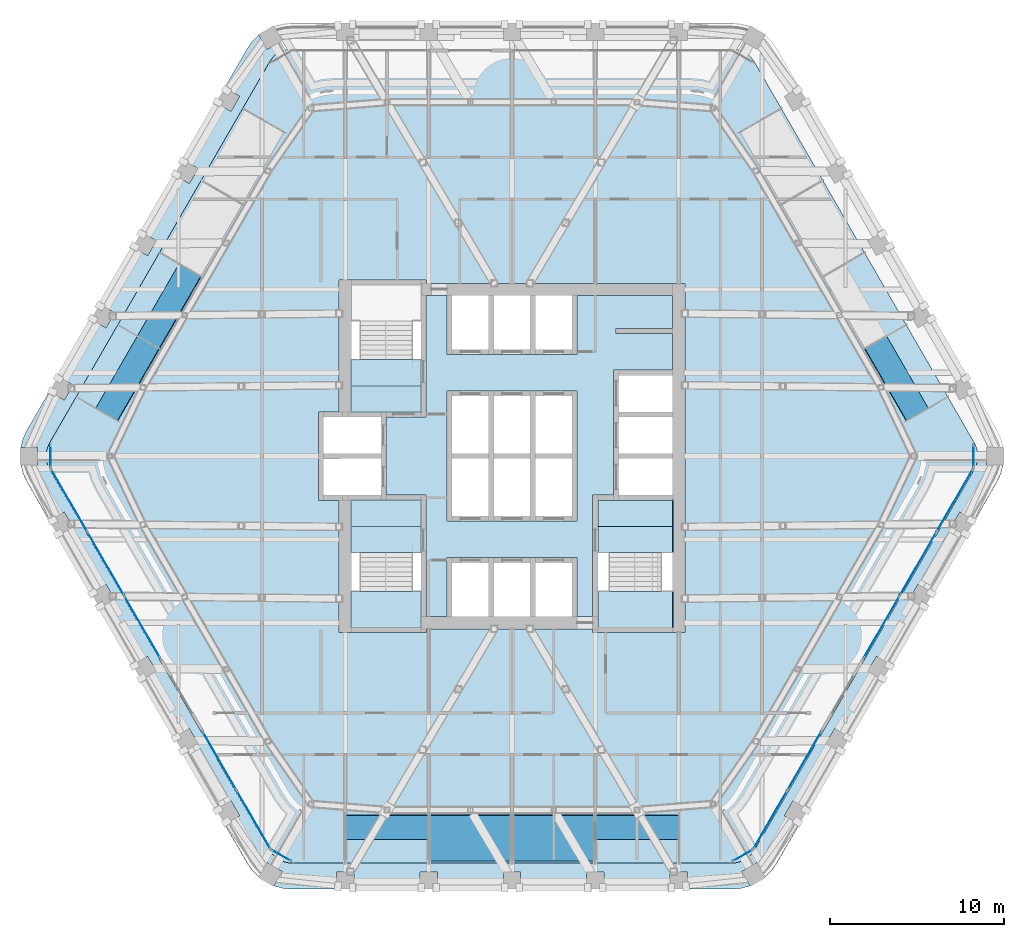
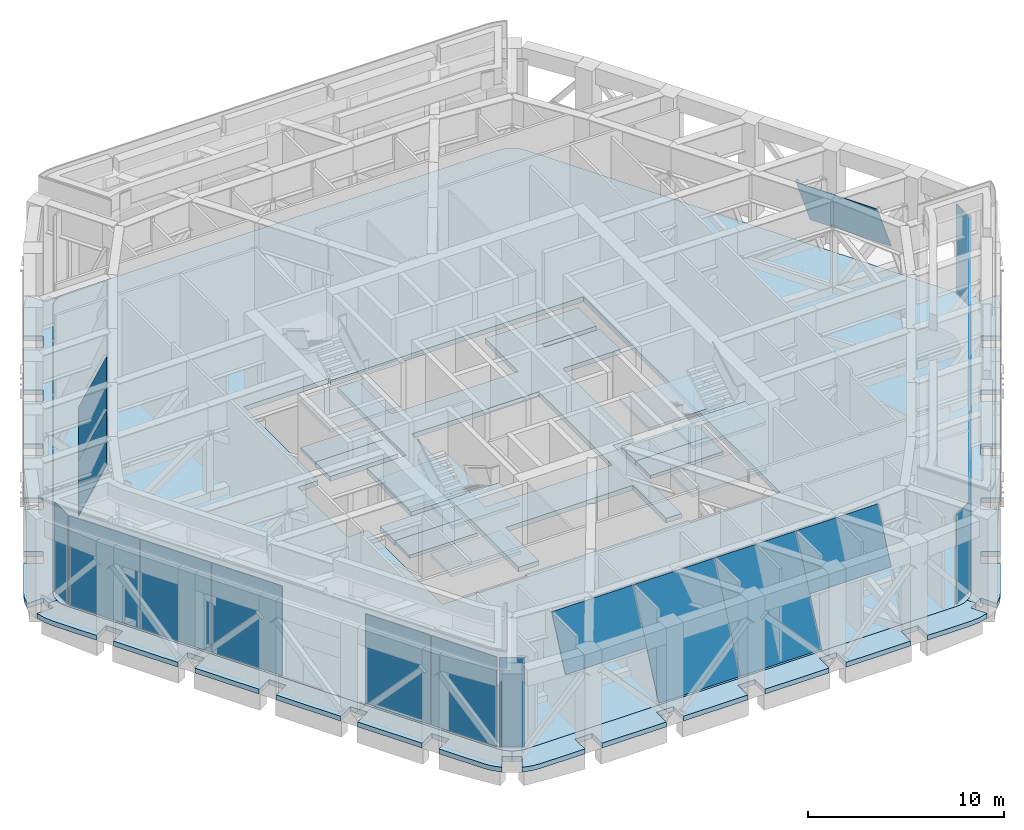
# One storey, part 12 of 24: 21 plates, 19 slabs, 14 elements without a shape of their own.
"""IFC4 building model written with IfcOpenShell, lengths in metres."""

import ifcopenshell
import ifcopenshell.guid

model = None  # the IFC model being written
_history = None  # IfcOwnerHistory: only IFC2X3 demands one
_inside = {}  # id of a spatial element -> (the spatial element, [elements in it])
_under = {}  # id of a project, library or spatial element -> (it, [spatial elements below it])
_declared = {}  # id of a project -> (the project, [libraries it declares])
_typed = {}  # id of a type object -> (the type object, [elements of that type])
_made_of = {}  # id of a material, layer set ... -> (it, [elements and type objects made of it])


def new_model(schema):
    """Start an empty IFC model of exactly this schema.

    Asked for "IFC4X3", IfcOpenShell would pick the latest addendum, in which some entities
    have other attributes; the version numbers below select the first issue.
    IFC2X3 requires an IfcOwnerHistory on every rooted entity: one is made here for all.
    """
    global model, _history
    if schema == "IFC4X3":
        model = ifcopenshell.file(schema_version=(4, 3, 0, 0))
    else:
        model = ifcopenshell.file(schema=schema)
    _inside.clear()
    _under.clear()
    _declared.clear()
    _typed.clear()
    _made_of.clear()
    _history = None
    if model.schema == "IFC2X3":
        org = make("IfcOrganization", Name="unknown")
        user = make(
            "IfcPersonAndOrganization",
            ThePerson=make("IfcPerson", FamilyName="unknown"),
            TheOrganization=org,
        )
        app = make(
            "IfcApplication",
            ApplicationDeveloper=org,
            Version="unknown",
            ApplicationFullName="unknown",
            ApplicationIdentifier="unknown",
        )
        _history = make(
            "IfcOwnerHistory",
            OwningUser=user,
            OwningApplication=app,
            ChangeAction="ADDED",
            CreationDate=0,
        )
    return model


def make(cls, **values):
    """One entity of the class cls with the attributes given. An attribute that is None is left unset."""
    return model.create_entity(
        cls, **{name: value for name, value in values.items() if value is not None}
    )


def rooted(cls, **values):
    """An entity with a GlobalId (a new one), such as an element, a storey or a relation."""
    return make(cls, GlobalId=ifcopenshell.guid.new(), OwnerHistory=_history, **values)


def si_unit(unit_type, name, prefix=None):
    """IfcSIUnit, for example si_unit("LENGTHUNIT", "METRE", prefix="MILLI")."""
    return make("IfcSIUnit", UnitType=unit_type, Prefix=prefix, Name=name)


def assignment(units):
    """IfcUnitAssignment: the units of a project."""
    return None if units is None else make("IfcUnitAssignment", Units=units)


def point(xyz):
    """IfcCartesianPoint."""
    return None if xyz is None else make("IfcCartesianPoint", Coordinates=xyz)


def direction(xyz):
    """IfcDirection."""
    return None if xyz is None else make("IfcDirection", DirectionRatios=xyz)


def frame(location, z_axis=None, x_axis=None):
    """IfcAxis2Placement3D, a coordinate frame: its origin and axes. An axis left out is left unset."""
    return make(
        "IfcAxis2Placement3D",
        Location=point(location),
        Axis=direction(z_axis),
        RefDirection=direction(x_axis),
    )


def frame_2d(location, x_axis=None):
    """IfcAxis2Placement2D, a coordinate frame in the plane: its origin and x axis."""
    return make(
        "IfcAxis2Placement2D", Location=point(location), RefDirection=direction(x_axis)
    )


def origin():
    """The frame at (0, 0, 0) with its axes left unset."""
    return frame((0.0, 0.0, 0.0))


def origin_2d():
    """The frame at (0, 0) in the plane with its x axis left unset."""
    return frame_2d((0.0, 0.0))


def place(relative_to, where):
    """IfcLocalPlacement: puts the frame where relative to a parent placement (None: the world)."""
    return make(
        "IfcLocalPlacement", PlacementRelTo=relative_to, RelativePlacement=where
    )


def context(
    kind, dimensions, precision=None, world=None, true_north=None, identifier=None
):
    """IfcGeometricRepresentationContext, for example the 3D "Model" context."""
    return make(
        "IfcGeometricRepresentationContext",
        ContextIdentifier=identifier,
        ContextType=kind,
        CoordinateSpaceDimension=dimensions,
        Precision=precision,
        WorldCoordinateSystem=world,
        TrueNorth=true_north,
    )


def subcontext(parent, identifier, kind, view, scale=None):
    """IfcGeometricRepresentationSubContext, for example "Body" below "Model"."""
    return make(
        "IfcGeometricRepresentationSubContext",
        ContextIdentifier=identifier,
        ContextType=kind,
        ParentContext=parent,
        TargetScale=scale,
        TargetView=view,
    )


def project(units=None, contexts=None):
    """IfcProject with its units and contexts."""
    return rooted(
        "IfcProject",
        Name="project",
        RepresentationContexts=contexts,
        UnitsInContext=assignment(units),
    )


def spatial(cls, under=None, at=None, **own):
    """A site, building, storey or space (cls), placed at a placement, below another one or the project."""
    s = rooted(cls, ObjectPlacement=at, **own)
    if under is not None:
        _under.setdefault(under.id(), (under, []))[1].append(s)
    return s


def polyline(points):
    """IfcPolyline through the points."""
    return make("IfcPolyline", Points=[point(p) for p in points])


def profile(cls, at=None, kind="AREA", **sizes):
    """A parametric profile (cls). Its sizes go by their IFC names, for example OverallWidth=200.0."""
    return make(cls, ProfileType=kind, Position=at, **sizes)


def rectangle(**sizes):
    """IfcRectangleProfileDef."""
    return profile("IfcRectangleProfileDef", **sizes)


def outline(outer, holes=None, kind="AREA"):
    """IfcArbitraryClosedProfileDef: a profile drawn as a closed curve; with holes, ...WithVoids."""
    if holes is None:
        return make("IfcArbitraryClosedProfileDef", ProfileType=kind, OuterCurve=outer)
    return make(
        "IfcArbitraryProfileDefWithVoids",
        ProfileType=kind,
        OuterCurve=outer,
        InnerCurves=holes,
    )


def extrude(swept, where, along, depth):
    """IfcExtrudedAreaSolid: the profile swept, set in the frame where, extruded along a direction by depth."""
    return make(
        "IfcExtrudedAreaSolid",
        SweptArea=swept,
        Position=where,
        ExtrudedDirection=direction(along),
        Depth=depth,
    )


def shape(context_of_items, identifier, shape_type, items):
    """IfcShapeRepresentation: the items that make up one representation, for example the "Body"."""
    return make(
        "IfcShapeRepresentation",
        ContextOfItems=context_of_items,
        RepresentationIdentifier=identifier,
        RepresentationType=shape_type,
        Items=items,
    )


def material(Name=None, Category=None):
    """IfcMaterial."""
    return make("IfcMaterial", Name=Name, Category=Category)


def layer(
    of_material, thickness, ventilated=None, Name=None, Category=None, Priority=None
):
    """IfcMaterialLayer: one layer of a wall or slab, of a material (None: an air gap)."""
    return make(
        "IfcMaterialLayer",
        Material=of_material,
        LayerThickness=thickness,
        IsVentilated=ventilated,
        Name=Name,
        Category=Category,
        Priority=Priority,
    )


def layer_set(layers, Name=None):
    """IfcMaterialLayerSet."""
    return make("IfcMaterialLayerSet", MaterialLayers=layers, LayerSetName=Name)


def made_of(thing, what):
    """Note that an element or type object is made of a material, layer set ...; save() writes the relation."""
    if what is not None:
        _made_of.setdefault(what.id(), (what, []))[1].append(thing)
    return thing


def type_object(cls, material=None, **own):
    """A type object (cls), such as IfcWallType, which elements share."""
    return made_of(rooted(cls, **own), material)


def element(
    cls,
    number,
    at=None,
    inside=None,
    cuts=None,
    type_object=None,
    material=None,
    context=None,
    identifier="Body",
    shape_type=None,
    held_by="IfcProductDefinitionShape",
    body=None,
    shapes=None,
    **own,
):
    """One element of the class cls, such as IfcWall. Its Tag is "e" and its number.

    at: its placement. inside: the storey or other place that contains it. cuts: it is an
    opening in that element (IfcRelVoidsElement). A single representation is given by context,
    identifier, shape_type and body (its items); several are given by shapes. held_by: the class
    of the entity that holds the representations. save() writes the other relations.
    """
    e = rooted(cls, Tag="e%d" % number, ObjectPlacement=at, **own)
    if body is not None:
        shapes = [shape(context, identifier, shape_type, body)]
    if shapes is not None:
        e.Representation = make(held_by, Representations=shapes)
    if inside is not None:
        _inside.setdefault(inside.id(), (inside, []))[1].append(e)
    if cuts is not None:
        rooted(
            "IfcRelVoidsElement", RelatingBuildingElement=cuts, RelatedOpeningElement=e
        )
    if type_object is not None:
        _typed.setdefault(type_object.id(), (type_object, []))[1].append(e)
    return made_of(e, material)


def aggregate(whole, parts):
    """IfcRelAggregates: a whole, such as a stair, and the parts it consists of."""
    return rooted("IfcRelAggregates", RelatingObject=whole, RelatedObjects=parts)


def save(model, path):
    """Write the relations noted so far, then the file.

    IfcRelAggregates (storeys below a building ...), IfcRelContainedInSpatialStructure (elements
    in a storey), IfcRelDefinesByType, IfcRelAssociatesMaterial and IfcRelDeclares: one each for
    every whole, place, type object, material and project.
    """
    for whole, parts in _under.values():
        aggregate(whole, parts)
    for where, things in _inside.values():
        rooted(
            "IfcRelContainedInSpatialStructure",
            RelatedElements=things,
            RelatingStructure=where,
        )
    for kind, things in _typed.values():
        rooted("IfcRelDefinesByType", RelatedObjects=things, RelatingType=kind)
    for what, things in _made_of.values():
        rooted("IfcRelAssociatesMaterial", RelatedObjects=things, RelatingMaterial=what)
    for by, libraries in _declared.values():
        rooted("IfcRelDeclares", RelatingContext=by, RelatedDefinitions=libraries)
    model.write(path)


model = new_model("IFC4")

# Units and contexts
model_context = context("Model", 3, precision=1e-05, world=origin(), true_north=direction((0.0, 1.0)))
body_context = subcontext(model_context, "Body", "Model", "MODEL_VIEW")
ifc_project = project(units=[si_unit("LENGTHUNIT", "METRE"), si_unit("AREAUNIT", "SQUARE_METRE"), si_unit("VOLUMEUNIT", "CUBIC_METRE"), si_unit("PLANEANGLEUNIT", "RADIAN"), si_unit("MASSUNIT", "GRAM", prefix="KILO")], contexts=[model_context])

# Site, building, storey
site_placement = place(None, origin())
site = spatial("IfcSite", under=ifc_project, at=site_placement, CompositionType="ELEMENT")
building_placement = place(site_placement, origin())
building = spatial("IfcBuilding", under=site, at=building_placement, Name="Kolab Exchange Tower", CompositionType="ELEMENT")
storey_placement = place(building_placement, frame((0.0, 0.0, 216.800048828125)))
storey = spatial("IfcBuildingStorey", under=building, at=storey_placement, Name="L47", CompositionType="ELEMENT", Elevation=216.800048828125)

# Curtain wall, plate
ifc_material_1 = material(Name="Aluminium EN AW-6063 T6", Category="aluminium")
curtain_wall_type_1 = type_object("IfcCurtainWallType", Name="CANTED BAND CURTAIN WALL", PredefinedType="NOTDEFINED", material=ifc_material_1)
curtain_wall_1_placement = place(storey_placement, origin())
curtain_wall_1 = element("IfcCurtainWall", 1, at=curtain_wall_1_placement, inside=storey, type_object=curtain_wall_type_1, Name="band/L47/F2", PredefinedType="NOTDEFINED")
ifc_layer_1 = layer(ifc_material_1, 0.031982421875)
ifc_layer_set_1 = layer_set([ifc_layer_1], Name="Aluminium EN AW-6063 T6")
plate_type_1 = type_object("IfcPlateType", Name="CANTED BAND LOUVRE PANEL 32", PredefinedType="CURTAIN_PANEL", material=ifc_layer_set_1)
plate_1_placement = place(storey_placement, frame((21.576416015625, 6.91455078125, 2.60400390625), z_axis=(0.78956446393, 0.455830074613, 0.410861169225), x_axis=(0.499979284789, -0.866037363387, 0.0)))
plate_1 = element("IfcPlate", 2, at=plate_1_placement, type_object=plate_type_1, Name="Band louvre panel", PredefinedType="CURTAIN_PANEL", context=body_context, shape_type="SweptSolid", body=[
    extrude(outline(polyline([(0.0, 0.0), (4.800003553677277, 1.1102230246251565e-16), (4.80010512985088, -3.5055963684454055), (0.00010157617360284643, -3.5055963684454055), (0.0, 0.0)])), origin(), (0.0, 0.0, -1.0), 0.031982421875),
])
aggregate(curtain_wall_1, [plate_1])

# Curtain wall, plates
curtain_wall_2_placement = place(storey_placement, origin())
curtain_wall_2 = element("IfcCurtainWall", 3, at=curtain_wall_2_placement, inside=storey, type_object=curtain_wall_type_1, Name="band/L47/F4", PredefinedType="NOTDEFINED")
plate_2_placement = place(storey_placement, frame((9.60009765625, -22.089599609375, 2.722412109375), z_axis=(0.0, -0.911696732928, 0.410863806106), x_axis=(-1.0, 0.0, 0.0)))
plate_2 = element("IfcPlate", 4, at=plate_2_placement, type_object=plate_type_1, Name="Band louvre panel", PredefinedType="CURTAIN_PANEL", context=body_context, shape_type="SweptSolid", body=[
    extrude(outline(polyline([(0.0, 0.0), (4.800048828125, 0.0), (4.800048828125, -3.37572419379444), (0.0, -3.37572419379444), (0.0, 0.0)])), origin(), (0.0, 0.0, -1.0), 0.031982421875),
])
plate_3_placement = place(storey_placement, frame((4.800048828125, -23.31640625, 0.0), z_axis=(0.0, -0.911700930448, 0.410854491786), x_axis=(-1.0, 0.0, 0.0)))
plate_3 = element("IfcPlate", 5, at=plate_3_placement, type_object=plate_type_1, Name="Band louvre panel", PredefinedType="CURTAIN_PANEL", context=body_context, shape_type="SweptSolid", body=[
    extrude(outline(polyline([(0.0, 0.0), (4.800048828125, 0.0), (4.800048828125, -6.361788865651314), (0.0, -6.361788865651314), (0.0, 0.0)])), origin(), (0.0, 0.0, -1.0), 0.031982421875),
])
plate_4_placement = place(storey_placement, frame((0.0, -23.31640625, 0.0), z_axis=(0.0, -0.911700930448, 0.410854491786), x_axis=(-1.0, 0.0, 0.0)))
plate_4 = element("IfcPlate", 6, at=plate_4_placement, type_object=plate_type_1, Name="Band louvre panel", PredefinedType="CURTAIN_PANEL", context=body_context, shape_type="SweptSolid", body=[
    extrude(outline(polyline([(0.0, 0.0), (4.800048828125, 0.0), (4.800048828125, -6.361788865651314), (0.0, -6.361788865651314), (0.0, 0.0)])), origin(), (0.0, 0.0, -1.0), 0.031982421875),
])
plate_5_placement = place(storey_placement, frame((-4.800048828125, -22.089599609375, 2.722412109375), z_axis=(0.0, -0.911696732928, 0.410863806106), x_axis=(-1.0, 0.0, 0.0)))
plate_5 = element("IfcPlate", 7, at=plate_5_placement, type_object=plate_type_1, Name="Band louvre panel", PredefinedType="CURTAIN_PANEL", context=body_context, shape_type="SweptSolid", body=[
    extrude(outline(polyline([(0.0, 0.0), (4.800048828125, 0.0), (4.800048828125, -3.37572419379444), (0.0, -3.37572419379444), (0.0, 0.0)])), origin(), (0.0, 0.0, -1.0), 0.031982421875),
])
aggregate(curtain_wall_2, [plate_2, plate_3, plate_4, plate_5])

curtain_wall_3_placement = place(storey_placement, origin())
curtain_wall_3 = element("IfcCurtainWall", 8, at=curtain_wall_3_placement, inside=storey, type_object=curtain_wall_type_1, Name="band/L47/F6", PredefinedType="NOTDEFINED")
plate_6_placement = place(storey_placement, frame((-23.976318359375, 2.757568359375, 2.60400390625), z_axis=(-0.78956446393, 0.455830074613, 0.410861169225), x_axis=(0.499979284789, 0.866037363387, 0.0)))
plate_6 = element("IfcPlate", 9, at=plate_6_placement, type_object=plate_type_1, Name="Band louvre panel", PredefinedType="CURTAIN_PANEL", context=body_context, shape_type="SweptSolid", body=[
    extrude(outline(polyline([(0.0, 0.0), (4.800003553677277, -1.1102230246251565e-16), (4.799901977503674, -3.5055963684454055), (-0.00010157617360284643, -3.5055963684454055), (0.0, 0.0)])), origin(), (0.0, 0.0, -1.0), 0.031982421875),
])
plate_7_placement = place(storey_placement, frame((-21.576416015625, 6.91455078125, 2.60400390625), z_axis=(-0.789544384574, 0.455864852572, 0.410861169955), x_axis=(0.500017431331, 0.866015339567, 0.0)))
plate_7 = element("IfcPlate", 10, at=plate_7_placement, type_object=plate_type_1, Name="Band louvre panel", PredefinedType="CURTAIN_PANEL", context=body_context, shape_type="SweptSolid", body=[
    extrude(outline(polyline([(0.0, 0.0), (4.800125623588972, -1.1102230246251565e-16), (4.800087490031965, -3.505596369709605), (-3.813355700662064e-05, -3.505596369709605), (0.0, 0.0)])), origin(), (0.0, 0.0, -1.0), 0.031982421875),
])
aggregate(curtain_wall_3, [plate_6, plate_7])

# Slabs
ifc_material_2 = material(Name="Concrete C35/45", Category="concrete")
ifc_layer_2 = layer(ifc_material_2, 0.300048828125)
ifc_layer_set_2 = layer_set([ifc_layer_2], Name="Concrete C35/45")
slab_type_1 = type_object("IfcSlabType", Name="FLOOR SLAB 300", PredefinedType="FLOOR", material=ifc_layer_set_2)
slab_1_placement = place(storey_placement, frame((0.0, 0.0, -0.300048828125)))
element("IfcSlab", 11, at=slab_1_placement, inside=storey, type_object=slab_type_1, Name="slab/L47/floor/0", PredefinedType="FLOOR", context=body_context, shape_type="SweptSolid", body=[
    extrude(outline(polyline([(13.967041015625, -22.691650390625), (26.635009765625, -0.75), (26.745361328125, -0.512939453125), (26.81298828125, -0.260498046875), (26.8359375, 0.0), (26.81298828125, 0.260498046875), (26.745361328125, 0.512939453125), (26.635009765625, 0.75), (13.967041015625, 22.691650390625), (13.81689453125, 22.90576171875), (13.632080078125, 23.090576171875), (13.41796875, 23.240478515625), (13.180908203125, 23.35107421875), (12.928466796875, 23.418701171875), (12.66796875, 23.441650390625), (-12.66796875, 23.441650390625), (-12.928466796875, 23.418701171875), (-13.180908203125, 23.35107421875), (-13.41796875, 23.240478515625), (-13.632080078125, 23.090576171875), (-13.81689453125, 22.90576171875), (-13.967041015625, 22.691650390625), (-26.635009765625, 0.75), (-26.745361328125, 0.512939453125), (-26.81298828125, 0.260498046875), (-26.8359375, 0.0), (-26.81298828125, -0.260498046875), (-26.745361328125, -0.512939453125), (-26.635009765625, -0.75), (-13.967041015625, -22.691650390625), (-13.81689453125, -22.90576171875), (-13.632080078125, -23.090576171875), (-13.41796875, -23.240478515625), (-13.180908203125, -23.35107421875), (-12.928466796875, -23.418701171875), (-12.66796875, -23.441650390625), (12.66796875, -23.441650390625), (12.928466796875, -23.418701171875), (13.180908203125, -23.35107421875), (13.41796875, -23.240478515625), (13.632080078125, -23.090576171875), (13.81689453125, -22.90576171875), (13.967041015625, -22.691650390625)]), holes=[polyline([(-9.25, -10.14990234375), (-9.949951171875, -10.14990234375), (-9.949951171875, -2.550048828125), (-10.85009765625, -2.550048828125), (-11.14990234375, -2.550048828125), (-11.14990234375, 2.550048828125), (-10.85009765625, 2.550048828125), (-9.949951171875, 2.550048828125), (-9.949951171875, 10.14990234375), (-9.25, 10.14990234375), (-5.25, 10.14990234375), (-4.949951171875, 10.14990234375), (-4.949951171875, 9.949951171875), (9.25, 9.949951171875), (9.949951171875, 9.949951171875), (9.949951171875, -10.14990234375), (9.25, -10.14990234375), (4.949951171875, -10.14990234375), (4.64990234375, -10.14990234375), (4.64990234375, -9.949951171875), (-4.949951171875, -9.949951171875), (-4.949951171875, -10.14990234375), (-5.25, -10.14990234375), (-9.25, -10.14990234375)])]), origin(), (0.0, 0.0, 1.0), 0.300048828125),
])
slab_2_placement = place(storey_placement, frame((0.0, 0.0, -0.300048828125)))
element("IfcSlab", 12, at=slab_2_placement, inside=storey, type_object=slab_type_1, Name="slab/L47/floor/1", PredefinedType="FLOOR", context=body_context, shape_type="SweptSolid", body=[
    extrude(outline(polyline([(-4.949951171875, 9.25), (-4.949951171875, 2.25), (-5.25, 2.25), (-7.25, 2.25), (-7.25, -2.25), (-5.25, -2.25), (-4.949951171875, -2.25), (-4.949951171875, -9.25), (-3.75, -9.25), (-3.75, -5.85009765625), (-3.449951171875, -5.85009765625), (-1.35009765625, -5.85009765625), (-1.050048828125, -5.85009765625), (1.050048828125, -5.85009765625), (1.35009765625, -5.85009765625), (3.449951171875, -5.85009765625), (3.75, -5.85009765625), (3.75, -9.25), (4.64990234375, -9.25), (4.64990234375, -2.25), (4.949951171875, -2.25), (5.85009765625, -2.25), (5.85009765625, 4.949951171875), (6.14990234375, 4.949951171875), (9.25, 4.949951171875), (9.25, 7.050048828125), (6.0, 7.050048828125), (6.0, 7.35009765625), (9.25, 7.35009765625), (9.25, 9.25), (3.75, 9.25), (3.75, 5.85009765625), (3.449951171875, 5.85009765625), (1.35009765625, 5.85009765625), (1.050048828125, 5.85009765625), (-1.050048828125, 5.85009765625), (-1.35009765625, 5.85009765625), (-3.449951171875, 5.85009765625), (-3.75, 5.85009765625), (-3.75, 9.25), (-4.949951171875, 9.25)]), holes=[polyline([(-3.449951171875, -3.75), (-3.75, -3.75), (-3.75, 3.75), (-3.449951171875, 3.75), (-1.35009765625, 3.75), (-1.050048828125, 3.75), (1.050048828125, 3.75), (1.35009765625, 3.75), (3.449951171875, 3.75), (3.75, 3.75), (3.75, -3.75), (3.449951171875, -3.75), (1.35009765625, -3.75), (1.050048828125, -3.75), (-1.050048828125, -3.75), (-1.35009765625, -3.75), (-3.449951171875, -3.75)])]), origin(), (0.0, 0.0, 1.0), 0.300048828125),
])
slab_3_placement = place(storey_placement, frame((0.0, 0.0, -0.300048828125)))
element("IfcSlab", 13, at=slab_3_placement, inside=storey, type_object=slab_type_1, Name="slab/L47/floor/2", PredefinedType="FLOOR", context=body_context, shape_type="SweptSolid", body=[
    extrude(outline(polyline([(4.949951171875, -4.050048828125), (9.25, -4.050048828125), (9.25, -2.550048828125), (6.14990234375, -2.550048828125), (5.85009765625, -2.550048828125), (4.949951171875, -2.550048828125), (4.949951171875, -4.050048828125)])), origin(), (0.0, 0.0, 1.0), 0.300048828125),
])
slab_4_placement = place(storey_placement, frame((0.0, 0.0, -0.300048828125)))
element("IfcSlab", 14, at=slab_4_placement, inside=storey, type_object=slab_type_1, Name="slab/L47/floor/3", PredefinedType="FLOOR", context=body_context, shape_type="SweptSolid", body=[
    extrude(outline(polyline([(-7.550048828125, -2.550048828125), (-9.25, -2.550048828125), (-9.25, -4.050048828125), (-5.25, -4.050048828125), (-5.25, -2.550048828125), (-7.25, -2.550048828125), (-7.550048828125, -2.550048828125)])), origin(), (0.0, 0.0, 1.0), 0.300048828125),
])
slab_5_placement = place(storey_placement, frame((0.0, 0.0, -0.300048828125)))
element("IfcSlab", 15, at=slab_5_placement, inside=storey, type_object=slab_type_1, Name="slab/L47/floor/4", PredefinedType="FLOOR", context=body_context, shape_type="SweptSolid", body=[
    extrude(outline(polyline([(-9.25, 2.550048828125), (-7.550048828125, 2.550048828125), (-7.25, 2.550048828125), (-5.25, 2.550048828125), (-5.25, 4.050048828125), (-9.25, 4.050048828125), (-9.25, 2.550048828125)])), origin(), (0.0, 0.0, 1.0), 0.300048828125),
])
ifc_layer_3 = layer(ifc_material_2, 0.300048828125)
ifc_layer_set_3 = layer_set([ifc_layer_3], Name="Concrete C35/45")
slab_type_2 = type_object("IfcSlabType", Name="LOGGIA SLAB 300", PredefinedType="FLOOR", material=ifc_layer_set_3)
slab_6_placement = place(storey_placement, frame((0.0, 0.0, -0.300048828125)))
element("IfcSlab", 16, at=slab_6_placement, inside=storey, type_object=slab_type_2, Name="slab/L47/loggia/2-0", PredefinedType="FLOOR", context=body_context, shape_type="SweptSolid", body=[
    extrude(outline(polyline([(15.26611328125, -23.441650390625), (16.550048828125, -21.217529296875), (15.68408203125, -20.717529296875), (16.18408203125, -19.8515625), (17.050048828125, -20.3515625), (18.949951171875, -17.060791015625), (18.083984375, -16.560791015625), (18.583984375, -15.694580078125), (19.449951171875, -16.194580078125), (21.35009765625, -12.90380859375), (20.48388671875, -12.40380859375), (20.98388671875, -11.537841796875), (21.85009765625, -12.037841796875), (23.75, -8.746826171875), (22.884033203125, -8.246826171875), (23.384033203125, -7.380859375), (24.25, -7.880859375), (26.14990234375, -4.58984375), (25.283935546875, -4.08984375), (25.783935546875, -3.223876953125), (26.64990234375, -3.723876953125), (27.93408203125, -1.5), (28.155029296875, -1.026123046875), (28.290283203125, -0.52099609375), (28.292236328125, -0.5), (27.3359375, -0.5), (27.3359375, 0.0), (26.8359375, 0.0), (26.81298828125, -0.260498046875), (26.745361328125, -0.512939453125), (26.635009765625, -0.75), (13.967041015625, -22.691650390625), (13.81689453125, -22.90576171875), (13.632080078125, -23.090576171875), (13.41796875, -23.240478515625), (13.66796875, -23.673583984375), (14.10107421875, -23.423583984375), (14.5791015625, -24.251708984375), (14.59619140625, -24.23974609375), (14.966064453125, -23.869873046875), (15.26611328125, -23.441650390625)])), origin(), (0.0, 0.0, 1.0), 0.300048828125),
])
slab_7_placement = place(storey_placement, frame((0.0, 0.0, -0.300048828125)))
element("IfcSlab", 17, at=slab_7_placement, inside=storey, type_object=slab_type_2, Name="slab/L47/loggia/3-0", PredefinedType="FLOOR", context=body_context, shape_type="SweptSolid", body=[
    extrude(outline(polyline([(-13.41796875, -23.240478515625), (-13.66796875, -23.673583984375), (-13.23486328125, -23.923583984375), (-13.713134765625, -24.751708984375), (-13.694091796875, -24.760498046875), (-13.18896484375, -24.89599609375), (-12.66796875, -24.941650390625), (-10.10009765625, -24.941650390625), (-10.10009765625, -23.941650390625), (-9.10009765625, -23.941650390625), (-9.10009765625, -24.941650390625), (-5.300048828125, -24.941650390625), (-5.300048828125, -23.941650390625), (-4.300048828125, -23.941650390625), (-4.300048828125, -24.941650390625), (-0.5, -24.941650390625), (-0.5, -23.941650390625), (0.5, -23.941650390625), (0.5, -24.941650390625), (4.300048828125, -24.941650390625), (4.300048828125, -23.941650390625), (5.300048828125, -23.941650390625), (5.300048828125, -24.941650390625), (9.10009765625, -24.941650390625), (9.10009765625, -23.941650390625), (10.10009765625, -23.941650390625), (10.10009765625, -24.941650390625), (12.66796875, -24.941650390625), (13.18896484375, -24.89599609375), (13.694091796875, -24.760498046875), (13.713134765625, -24.751708984375), (13.23486328125, -23.923583984375), (13.66796875, -23.673583984375), (13.41796875, -23.240478515625), (13.180908203125, -23.35107421875), (12.928466796875, -23.418701171875), (12.66796875, -23.441650390625), (-12.66796875, -23.441650390625), (-12.928466796875, -23.418701171875), (-13.180908203125, -23.35107421875), (-13.41796875, -23.240478515625)])), origin(), (0.0, 0.0, 1.0), 0.300048828125),
])
slab_8_placement = place(storey_placement, frame((0.0, 0.0, -0.300048828125)))
element("IfcSlab", 18, at=slab_8_placement, inside=storey, type_object=slab_type_2, Name="slab/L47/loggia/4-0", PredefinedType="FLOOR", context=body_context, shape_type="SweptSolid", body=[
    extrude(outline(polyline([(-26.8359375, 0.0), (-27.3359375, 0.0), (-27.3359375, -0.5), (-28.292236328125, -0.5), (-28.290283203125, -0.52099609375), (-28.155029296875, -1.026123046875), (-27.93408203125, -1.5), (-26.64990234375, -3.723876953125), (-25.783935546875, -3.223876953125), (-25.283935546875, -4.08984375), (-26.14990234375, -4.58984375), (-24.25, -7.880859375), (-23.384033203125, -7.380859375), (-22.884033203125, -8.246826171875), (-23.75, -8.746826171875), (-21.85009765625, -12.037841796875), (-20.98388671875, -11.537841796875), (-20.48388671875, -12.40380859375), (-21.35009765625, -12.90380859375), (-19.449951171875, -16.194580078125), (-18.583984375, -15.694580078125), (-18.083984375, -16.560791015625), (-18.949951171875, -17.060791015625), (-17.050048828125, -20.3515625), (-16.18408203125, -19.8515625), (-15.68408203125, -20.717529296875), (-16.550048828125, -21.217529296875), (-15.26611328125, -23.441650390625), (-14.966064453125, -23.869873046875), (-14.59619140625, -24.23974609375), (-14.5791015625, -24.251708984375), (-14.10107421875, -23.423583984375), (-13.66796875, -23.673583984375), (-13.41796875, -23.240478515625), (-13.632080078125, -23.090576171875), (-13.81689453125, -22.90576171875), (-13.967041015625, -22.691650390625), (-26.635009765625, -0.75), (-26.745361328125, -0.512939453125), (-26.81298828125, -0.260498046875), (-26.8359375, 0.0)])), origin(), (0.0, 0.0, 1.0), 0.300048828125),
])
slab_9_placement = place(storey_placement, frame((0.0, 0.0, -0.300048828125)))
element("IfcSlab", 19, at=slab_9_placement, inside=storey, type_object=slab_type_2, Name="slab/L47/loggia/5-0", PredefinedType="FLOOR", context=body_context, shape_type="SweptSolid", body=[
    extrude(outline(polyline([(-13.41796875, 23.240478515625), (-13.66796875, 23.673583984375), (-14.10107421875, 23.423583984375), (-14.5791015625, 24.251708984375), (-14.59619140625, 24.23974609375), (-14.966064453125, 23.869873046875), (-15.26611328125, 23.441650390625), (-16.550048828125, 21.217529296875), (-15.68408203125, 20.717529296875), (-16.18408203125, 19.8515625), (-17.050048828125, 20.3515625), (-18.949951171875, 17.060791015625), (-18.083984375, 16.560791015625), (-18.583984375, 15.694580078125), (-19.449951171875, 16.194580078125), (-21.35009765625, 12.90380859375), (-20.48388671875, 12.40380859375), (-20.98388671875, 11.537841796875), (-21.85009765625, 12.037841796875), (-23.75, 8.746826171875), (-22.884033203125, 8.246826171875), (-23.384033203125, 7.380859375), (-24.25, 7.880859375), (-26.14990234375, 4.58984375), (-25.283935546875, 4.08984375), (-25.783935546875, 3.223876953125), (-26.64990234375, 3.723876953125), (-27.93408203125, 1.5), (-28.155029296875, 1.026123046875), (-28.290283203125, 0.52099609375), (-28.292236328125, 0.5), (-27.3359375, 0.5), (-27.3359375, 0.0), (-26.8359375, 0.0), (-26.81298828125, 0.260498046875), (-26.745361328125, 0.512939453125), (-26.635009765625, 0.75), (-13.967041015625, 22.691650390625), (-13.81689453125, 22.90576171875), (-13.632080078125, 23.090576171875), (-13.41796875, 23.240478515625)])), origin(), (0.0, 0.0, 1.0), 0.300048828125),
])

# Stair, slabs
ifc_material_3 = material(Name="Concrete C50/60", Category="concrete")
stair_type_1 = type_object("IfcStairType", Name="STAIR ST1 RISER 166.7", PredefinedType="DOUBLE_RETURN_STAIR", material=ifc_material_3)
stair_1_placement = place(storey_placement, origin())
stair_1 = element("IfcStair", 20, at=stair_1_placement, inside=storey, type_object=stair_type_1, Name="Stair 1", PredefinedType="DOUBLE_RETURN_STAIR")
ifc_layer_4 = layer(ifc_material_3, 0.199951171875)
ifc_layer_set_4 = layer_set([ifc_layer_4], Name="Concrete C50/60")
slab_type_3 = type_object("IfcSlabType", Name="STAIR LANDING 200", PredefinedType="LANDING", material=ifc_layer_set_4)
slab_10_placement = place(storey_placement, frame((0.0, 0.0, -0.199951171875)))
slab_10 = element("IfcSlab", 21, at=slab_10_placement, type_object=slab_type_3, Name="ST1 landing 1", PredefinedType="LANDING", context=body_context, shape_type="SweptSolid", body=[
    extrude(outline(polyline([(-9.25, 4.050048828125), (-5.25, 4.050048828125), (-5.25, 5.550048828125), (-9.25, 5.550048828125), (-9.25, 4.050048828125)])), origin(), (0.0, 0.0, 1.0), 0.199951171875),
])
slab_11_placement = place(storey_placement, frame((0.0, 0.0, 2.800048828125)))
slab_11 = element("IfcSlab", 22, at=slab_11_placement, type_object=slab_type_3, Name="ST1 landing 3", PredefinedType="LANDING", context=body_context, shape_type="SweptSolid", body=[
    extrude(outline(polyline([(-9.31005859375, 2.489990234375), (-5.18994140625, 2.489990234375), (-5.18994140625, 5.550048828125), (-9.31005859375, 5.550048828125), (-9.31005859375, 2.489990234375)])), origin(), (0.0, 0.0, 1.0), 0.199951171875),
])
aggregate(stair_1, [slab_10, slab_11])

stair_type_2 = type_object("IfcStairType", Name="STAIR ST3 RISER 166.7", PredefinedType="DOUBLE_RETURN_STAIR", material=ifc_material_3)
stair_2_placement = place(storey_placement, origin())
stair_2 = element("IfcStair", 23, at=stair_2_placement, inside=storey, type_object=stair_type_2, Name="Stair 3", PredefinedType="DOUBLE_RETURN_STAIR")
slab_12_placement = place(storey_placement, frame((0.0, 0.0, -0.199951171875)))
slab_12 = element("IfcSlab", 24, at=slab_12_placement, type_object=slab_type_3, Name="ST3 landing 1", PredefinedType="LANDING", context=body_context, shape_type="SweptSolid", body=[
    extrude(outline(polyline([(-9.25, -5.550048828125), (-5.25, -5.550048828125), (-5.25, -4.050048828125), (-9.25, -4.050048828125), (-9.25, -5.550048828125)])), origin(), (0.0, 0.0, 1.0), 0.199951171875),
])
slab_13_placement = place(storey_placement, frame((0.0, 0.0, 1.300048828125)))
slab_13 = element("IfcSlab", 25, at=slab_13_placement, type_object=slab_type_3, Name="ST3 landing 2", PredefinedType="LANDING", context=body_context, shape_type="SweptSolid", body=[
    extrude(outline(polyline([(-9.31005859375, -9.909912109375), (-5.18994140625, -9.909912109375), (-5.18994140625, -7.7900390625), (-9.31005859375, -7.7900390625), (-9.31005859375, -9.909912109375)])), origin(), (0.0, 0.0, 1.0), 0.199951171875),
])
slab_14_placement = place(storey_placement, frame((0.0, 0.0, 2.800048828125)))
slab_14 = element("IfcSlab", 26, at=slab_14_placement, type_object=slab_type_3, Name="ST3 landing 3", PredefinedType="LANDING", context=body_context, shape_type="SweptSolid", body=[
    extrude(outline(polyline([(-9.31005859375, -5.550048828125), (-5.18994140625, -5.550048828125), (-5.18994140625, -2.489990234375), (-9.31005859375, -2.489990234375), (-9.31005859375, -5.550048828125)])), origin(), (0.0, 0.0, 1.0), 0.199951171875),
])
slab_15_placement = place(storey_placement, frame((0.0, 0.0, 4.300048828125)))
slab_15 = element("IfcSlab", 27, at=slab_15_placement, type_object=slab_type_3, Name="ST3 landing 4", PredefinedType="LANDING", context=body_context, shape_type="SweptSolid", body=[
    extrude(outline(polyline([(-9.25, -9.909912109375), (-5.25, -9.909912109375), (-5.25, -7.7900390625), (-9.25, -7.7900390625), (-9.25, -9.909912109375)])), origin(), (0.0, 0.0, 1.0), 0.199951171875),
])
aggregate(stair_2, [slab_12, slab_13, slab_14, slab_15])

stair_type_3 = type_object("IfcStairType", Name="STAIR ST2 RISER 166.7", PredefinedType="DOUBLE_RETURN_STAIR", material=ifc_material_3)
stair_3_placement = place(storey_placement, origin())
stair_3 = element("IfcStair", 28, at=stair_3_placement, inside=storey, type_object=stair_type_3, Name="Stair 2", PredefinedType="DOUBLE_RETURN_STAIR")
slab_16_placement = place(storey_placement, frame((0.0, 0.0, -0.199951171875)))
slab_16 = element("IfcSlab", 29, at=slab_16_placement, type_object=slab_type_3, Name="ST2 landing 1", PredefinedType="LANDING", context=body_context, shape_type="SweptSolid", body=[
    extrude(outline(polyline([(4.949951171875, -5.550048828125), (9.25, -5.550048828125), (9.25, -4.050048828125), (4.949951171875, -4.050048828125), (4.949951171875, -5.550048828125)])), origin(), (0.0, 0.0, 1.0), 0.199951171875),
])
slab_17_placement = place(storey_placement, frame((0.0, 0.0, 1.300048828125)))
slab_17 = element("IfcSlab", 30, at=slab_17_placement, type_object=slab_type_3, Name="ST2 landing 2", PredefinedType="LANDING", context=body_context, shape_type="SweptSolid", body=[
    extrude(outline(polyline([(4.889892578125, -9.909912109375), (9.31005859375, -9.909912109375), (9.31005859375, -7.7900390625), (4.889892578125, -7.7900390625), (4.889892578125, -9.909912109375)])), origin(), (0.0, 0.0, 1.0), 0.199951171875),
])
slab_18_placement = place(storey_placement, frame((0.0, 0.0, 2.800048828125)))
slab_18 = element("IfcSlab", 31, at=slab_18_placement, type_object=slab_type_3, Name="ST2 landing 3", PredefinedType="LANDING", context=body_context, shape_type="SweptSolid", body=[
    extrude(outline(polyline([(4.889892578125, -5.550048828125), (9.31005859375, -5.550048828125), (9.31005859375, -2.489990234375), (4.889892578125, -2.489990234375), (4.889892578125, -5.550048828125)])), origin(), (0.0, 0.0, 1.0), 0.199951171875),
])
slab_19_placement = place(storey_placement, frame((0.0, 0.0, 4.300048828125)))
slab_19 = element("IfcSlab", 32, at=slab_19_placement, type_object=slab_type_3, Name="ST2 landing 4", PredefinedType="LANDING", context=body_context, shape_type="SweptSolid", body=[
    extrude(outline(polyline([(4.949951171875, -9.909912109375), (9.25, -9.909912109375), (9.25, -7.7900390625), (4.949951171875, -7.7900390625), (4.949951171875, -9.909912109375)])), origin(), (0.0, 0.0, 1.0), 0.199951171875),
])
aggregate(stair_3, [slab_16, slab_17, slab_18, slab_19])

# Curtain wall, plates
curtain_wall_type_2 = type_object("IfcCurtainWallType", Name="UNITISED UPPER MID ZONE DOUBLE HEIGHT BELT CURTAIN WALL", PredefinedType="NOTDEFINED", material=ifc_material_1)
curtain_wall_4_placement = place(storey_placement, origin())
curtain_wall_4 = element("IfcCurtainWall", 33, at=curtain_wall_4_placement, inside=storey, type_object=curtain_wall_type_2, Name="cw/L47/F3-1", PredefinedType="NOTDEFINED")
ifc_layer_5 = layer(ifc_material_1, 0.028076171875)
ifc_layer_set_5 = layer_set([ifc_layer_5], Name="Aluminium EN AW-6063 T6")
plate_type_2 = type_object("IfcPlateType", Name="UNITISED UPPER MID ZONE DOUBLE HEIGHT BELT LOUVRE PANEL 28", PredefinedType="CURTAIN_PANEL", material=ifc_layer_set_5)
plate_8_placement = place(storey_placement, frame((25.50244140625, -2.551513671875, 0.059814453125), z_axis=(0.0, 0.0, 1.0), x_axis=(-0.499999958358, -0.866025427826, 0.0)))
plate_8 = element("IfcPlate", 34, at=plate_8_placement, type_object=plate_type_2, Name="CW11 panel 1.1", PredefinedType="CURTAIN_PANEL", context=body_context, shape_type="SweptSolid", body=[
    extrude(rectangle(XDim=4.132568359375, YDim=0.028076171875, at=origin_2d()), origin(), (0.0, 0.0, 1.0), 5.580078125),
])
plate_9_placement = place(storey_placement, frame((23.398681640625, -6.1953125, 0.059814453125), z_axis=(0.0, 0.0, 1.0), x_axis=(-0.499999958358, -0.866025427826, 0.0)))
plate_9 = element("IfcPlate", 35, at=plate_9_placement, type_object=plate_type_2, Name="CW11 panel 2.1", PredefinedType="CURTAIN_PANEL", context=body_context, shape_type="SweptSolid", body=[
    extrude(rectangle(XDim=4.16259765625, YDim=0.028076171875, at=origin_2d()), origin(), (0.0, 0.0, 1.0), 5.580078125),
])
plate_10_placement = place(storey_placement, frame((21.294921875, -9.83935546875, 0.059814453125), z_axis=(0.0, 0.0, 1.0), x_axis=(-0.499999958358, -0.866025427826, 0.0)))
plate_10 = element("IfcPlate", 36, at=plate_10_placement, type_object=plate_type_2, Name="CW11 panel 3.1", PredefinedType="CURTAIN_PANEL", context=body_context, shape_type="SweptSolid", body=[
    extrude(rectangle(XDim=4.132568359375, YDim=0.028076171875, at=origin_2d()), origin(), (0.0, 0.0, 1.0), 5.580078125),
])
aggregate(curtain_wall_4, [plate_8, plate_9, plate_10])

curtain_wall_5_placement = place(storey_placement, origin())
curtain_wall_5 = element("IfcCurtainWall", 37, at=curtain_wall_5_placement, inside=storey, type_object=curtain_wall_type_2, Name="cw/L47/F3-2", PredefinedType="NOTDEFINED")
plate_11_placement = place(storey_placement, frame((16.840576171875, -17.55419921875, 0.059814453125), z_axis=(0.0, 0.0, 1.0), x_axis=(-0.500000031681, -0.866025385493, 0.0)))
plate_11 = element("IfcPlate", 38, at=plate_11_placement, type_object=plate_type_2, Name="CW11 panel 1.1", PredefinedType="CURTAIN_PANEL", context=body_context, shape_type="SweptSolid", body=[
    extrude(rectangle(XDim=3.843994140625, YDim=0.028076171875, at=origin_2d()), origin(), (0.0, 0.0, 1.0), 5.580078125),
])
plate_12_placement = place(storey_placement, frame((14.888671875, -20.93505859375, 0.059814453125), z_axis=(0.0, 0.0, 1.0), x_axis=(-0.500000031681, -0.866025385493, 0.0)))
plate_12 = element("IfcPlate", 39, at=plate_12_placement, type_object=plate_type_2, Name="CW11 panel 2.1", PredefinedType="CURTAIN_PANEL", context=body_context, shape_type="SweptSolid", body=[
    extrude(rectangle(XDim=3.843994140625, YDim=0.028076171875, at=origin_2d()), origin(), (0.0, 0.0, 1.0), 5.580078125),
])
aggregate(curtain_wall_5, [plate_11, plate_12])

curtain_wall_6_placement = place(storey_placement, origin())
curtain_wall_6 = element("IfcCurtainWall", 40, at=curtain_wall_6_placement, inside=storey, type_object=curtain_wall_type_2, Name="cw/L47/F5-1", PredefinedType="NOTDEFINED")
plate_13_placement = place(storey_placement, frame((-14.888671875, -20.93505859375, 0.059814453125), z_axis=(0.0, 0.0, 1.0), x_axis=(-0.500000031681, 0.866025385493, 0.0)))
plate_13 = element("IfcPlate", 41, at=plate_13_placement, type_object=plate_type_2, Name="CW11 panel 1.1", PredefinedType="CURTAIN_PANEL", context=body_context, shape_type="SweptSolid", body=[
    extrude(rectangle(XDim=3.843994140625, YDim=0.028076171875, at=origin_2d()), origin(), (0.0, 0.0, 1.0), 5.580078125),
])
plate_14_placement = place(storey_placement, frame((-16.840576171875, -17.55419921875, 0.059814453125), z_axis=(0.0, 0.0, 1.0), x_axis=(-0.500000031681, 0.866025385493, 0.0)))
plate_14 = element("IfcPlate", 42, at=plate_14_placement, type_object=plate_type_2, Name="CW11 panel 2.1", PredefinedType="CURTAIN_PANEL", context=body_context, shape_type="SweptSolid", body=[
    extrude(rectangle(XDim=3.843994140625, YDim=0.028076171875, at=origin_2d()), origin(), (0.0, 0.0, 1.0), 5.580078125),
])
aggregate(curtain_wall_6, [plate_13, plate_14])

curtain_wall_7_placement = place(storey_placement, origin())
curtain_wall_7 = element("IfcCurtainWall", 43, at=curtain_wall_7_placement, inside=storey, type_object=curtain_wall_type_2, Name="cw/L47/F5-2", PredefinedType="NOTDEFINED")
plate_15_placement = place(storey_placement, frame((-21.294921875, -9.83935546875, 0.059814453125), z_axis=(0.0, 0.0, 1.0), x_axis=(-0.499999958358, 0.866025427826, 0.0)))
plate_15 = element("IfcPlate", 44, at=plate_15_placement, type_object=plate_type_2, Name="CW11 panel 1.1", PredefinedType="CURTAIN_PANEL", context=body_context, shape_type="SweptSolid", body=[
    extrude(rectangle(XDim=4.132568359375, YDim=0.028076171875, at=origin_2d()), origin(), (0.0, 0.0, 1.0), 5.580078125),
])
plate_16_placement = place(storey_placement, frame((-23.398681640625, -6.1953125, 0.059814453125), z_axis=(0.0, 0.0, 1.0), x_axis=(-0.499999958358, 0.866025427826, 0.0)))
plate_16 = element("IfcPlate", 45, at=plate_16_placement, type_object=plate_type_2, Name="CW11 panel 2.1", PredefinedType="CURTAIN_PANEL", context=body_context, shape_type="SweptSolid", body=[
    extrude(rectangle(XDim=4.16259765625, YDim=0.028076171875, at=origin_2d()), origin(), (0.0, 0.0, 1.0), 5.580078125),
])
plate_17_placement = place(storey_placement, frame((-25.50244140625, -2.551513671875, 0.059814453125), z_axis=(0.0, 0.0, 1.0), x_axis=(-0.499999958358, 0.866025427826, 0.0)))
plate_17 = element("IfcPlate", 46, at=plate_17_placement, type_object=plate_type_2, Name="CW11 panel 3.1", PredefinedType="CURTAIN_PANEL", context=body_context, shape_type="SweptSolid", body=[
    extrude(rectangle(XDim=4.132568359375, YDim=0.028076171875, at=origin_2d()), origin(), (0.0, 0.0, 1.0), 5.580078125),
])
aggregate(curtain_wall_7, [plate_15, plate_16, plate_17])

# Curtain wall, plate
curtain_wall_8_placement = place(storey_placement, origin())
curtain_wall_8 = element("IfcCurtainWall", 47, at=curtain_wall_8_placement, inside=storey, type_object=curtain_wall_type_2, Name="cw/L47/F2F3-corner", PredefinedType="NOTDEFINED")
plate_18_placement = place(storey_placement, frame((26.565673828125, 0.0, 0.059814453125), z_axis=(0.0, 0.0, 1.0), x_axis=(0.0, -1.0, 0.0)))
plate_18 = element("IfcPlate", 48, at=plate_18_placement, type_object=plate_type_2, Name="CW11 panel 1.1", PredefinedType="CURTAIN_PANEL", context=body_context, shape_type="SweptSolid", body=[
    extrude(rectangle(XDim=1.300048828125, YDim=0.028076171875, at=origin_2d()), origin(), (0.0, 0.0, 1.0), 5.580078125),
])
aggregate(curtain_wall_8, [plate_18])

curtain_wall_9_placement = place(storey_placement, origin())
curtain_wall_9 = element("IfcCurtainWall", 49, at=curtain_wall_9_placement, inside=storey, type_object=curtain_wall_type_2, Name="cw/L47/F3F4-corner", PredefinedType="NOTDEFINED")
plate_19_placement = place(storey_placement, frame((13.28271484375, -23.006591796875, 0.059814453125), z_axis=(0.0, 0.0, 1.0), x_axis=(-0.866025390869, -0.50000002237, 0.0)))
plate_19 = element("IfcPlate", 50, at=plate_19_placement, type_object=plate_type_2, Name="CW11 panel 1.1", PredefinedType="CURTAIN_PANEL", context=body_context, shape_type="SweptSolid", body=[
    extrude(rectangle(XDim=1.300048828125, YDim=0.028076171875, at=origin_2d()), origin(), (0.0, 0.0, 1.0), 5.580078125),
])
aggregate(curtain_wall_9, [plate_19])

curtain_wall_10_placement = place(storey_placement, origin())
curtain_wall_10 = element("IfcCurtainWall", 51, at=curtain_wall_10_placement, inside=storey, type_object=curtain_wall_type_2, Name="cw/L47/F4F5-corner", PredefinedType="NOTDEFINED")
plate_20_placement = place(storey_placement, frame((-13.28271484375, -23.006591796875, 0.059814453125), z_axis=(0.0, 0.0, 1.0), x_axis=(-0.866025390869, 0.50000002237, 0.0)))
plate_20 = element("IfcPlate", 52, at=plate_20_placement, type_object=plate_type_2, Name="CW11 panel 1.1", PredefinedType="CURTAIN_PANEL", context=body_context, shape_type="SweptSolid", body=[
    extrude(rectangle(XDim=1.300048828125, YDim=0.028076171875, at=origin_2d()), origin(), (0.0, 0.0, 1.0), 5.580078125),
])
aggregate(curtain_wall_10, [plate_20])

curtain_wall_11_placement = place(storey_placement, origin())
curtain_wall_11 = element("IfcCurtainWall", 53, at=curtain_wall_11_placement, inside=storey, type_object=curtain_wall_type_2, Name="cw/L47/F5F6-corner", PredefinedType="NOTDEFINED")
plate_21_placement = place(storey_placement, frame((-26.565673828125, 0.0, 0.059814453125), z_axis=(0.0, 0.0, 1.0), x_axis=(0.0, 1.0, 0.0)))
plate_21 = element("IfcPlate", 54, at=plate_21_placement, type_object=plate_type_2, Name="CW11 panel 1.1", PredefinedType="CURTAIN_PANEL", context=body_context, shape_type="SweptSolid", body=[
    extrude(rectangle(XDim=1.300048828125, YDim=0.028076171875, at=origin_2d()), origin(), (0.0, 0.0, 1.0), 5.580078125),
])
aggregate(curtain_wall_11, [plate_21])

save(model, "model.ifc")
